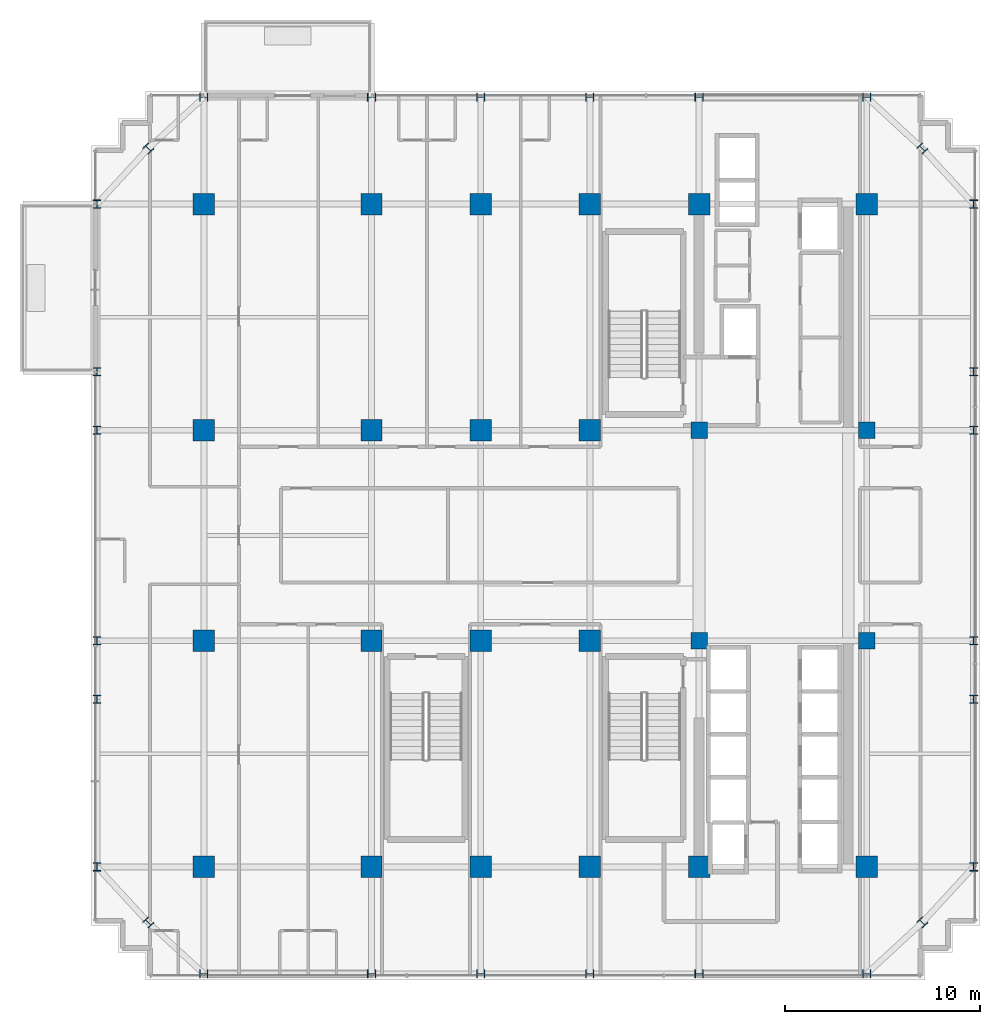
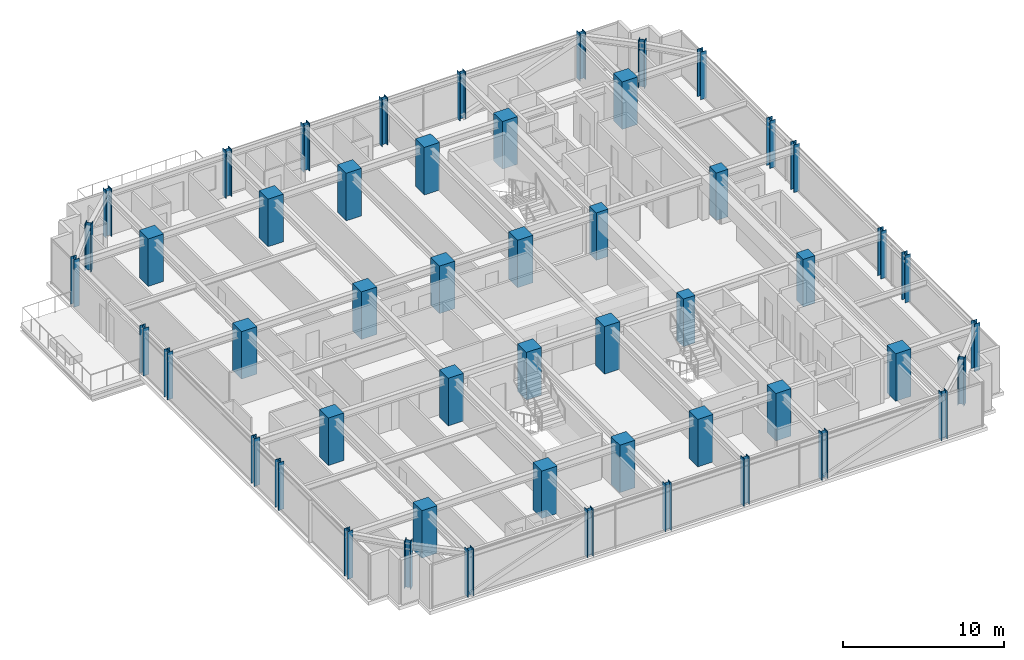
# One storey, part 1 of 32: 52 columns.
"""IFC4 building model written with IfcOpenShell, lengths in metres."""

from ifc_helpers import new_model, si_unit, direction, frame, origin, origin_2d, place, context, subcontext, project, spatial, rectangle, i_section, extrude, source, transform, mapped, material, material_profile, profile_set, type_object, element, save


model = new_model("IFC4")

# Units and contexts
model_context = context("Model", 3, precision=1e-05, world=origin(), true_north=direction((0.0, 1.0)))
body_context = subcontext(model_context, "Body", "Model", "MODEL_VIEW")
ifc_project = project(units=[si_unit("LENGTHUNIT", "METRE"), si_unit("AREAUNIT", "SQUARE_METRE"), si_unit("VOLUMEUNIT", "CUBIC_METRE"), si_unit("PLANEANGLEUNIT", "RADIAN"), si_unit("MASSUNIT", "GRAM", prefix="KILO")], contexts=[model_context])

# Site, building, storey
site_placement = place(None, origin())
site = spatial("IfcSite", under=ifc_project, at=site_placement, CompositionType="ELEMENT")
building_placement = place(site_placement, origin())
building = spatial("IfcBuilding", under=site, at=building_placement, Name="Nahalor Promenade Grand Hotel", CompositionType="ELEMENT")
storey_placement = place(building_placement, frame((0.0, 0.0, 152.64990234375)))
storey = spatial("IfcBuildingStorey", under=building, at=storey_placement, Name="L38", CompositionType="ELEMENT", Elevation=152.64990234375)

# Columns
ifc_material_1 = material(Name="Concrete B-70 (C60/75)", Category="concrete")
ifc_material_profile_1 = material_profile(ifc_material_1, rectangle(XDim=0.85, YDim=0.85, at=origin_2d()), Name="RC 850x850")
ifc_profile_set_1 = profile_set([ifc_material_profile_1], Name="Concrete B-70 (C60/75)")
column_type_1 = type_object("IfcColumnType", Name="Col-Pilaster-850", PredefinedType="PILASTER", material=ifc_profile_set_1)
shared_shape_1 = source(origin(), body_context, "Body", "SweptSolid", [
    extrude(rectangle(XDim=0.85, YDim=0.85, at=origin_2d()), origin(), (0.0, 0.0, 1.0), 3.60498046875),
])
for number, where, z_axis, x_axis, name in (
    (1, (8.39990234375, -5.39990234375, 0.0), (0.0, 0.0, 1.0), (1.0, 0.0, 0.0), "COL-L38-I41"),
    (2, (8.39990234375, 5.39990234375, 0.0), (0.0, 0.0, 1.0), (1.0, 0.0, 0.0), "COL-L38-I42"),
    (3, (17.0, -5.39990234375, 0.0), (0.0, 0.0, 1.0), (1.0, 0.0, 0.0), "COL-L38-I51"),
    (4, (17.0, 5.39990234375, 0.0), (0.0, 0.0, 1.0), (1.0, 0.0, 0.0), "COL-L38-I52"),
):
    element("IfcColumn", number, at=place(storey_placement, frame(where, z_axis=z_axis, x_axis=x_axis)), inside=storey, type_object=column_type_1, Name=name, PredefinedType="PILASTER", context=body_context, shape_type="MappedRepresentation", body=[
        mapped(shared_shape_1, transform((0.0, 0.0, 0.0), scale=1.0)),
    ])
ifc_material_2 = material(Name="Concrete B-60 (C50/60)", Category="concrete")
ifc_material_profile_2 = material_profile(ifc_material_2, rectangle(XDim=1.1, YDim=1.1, at=origin_2d()), Name="RC 1100x1100")
ifc_profile_set_2 = profile_set([ifc_material_profile_2], Name="Concrete B-60 (C50/60)")
column_type_2 = type_object("IfcColumnType", Name="Col-RC-1100", PredefinedType="COLUMN", material=ifc_profile_set_2)
shared_shape_2 = source(origin(), body_context, "Body", "SweptSolid", [
    extrude(rectangle(XDim=1.1, YDim=1.1, at=origin_2d()), origin(), (0.0, 0.0, 1.0), 3.60498046875),
])
for number, where, z_axis, x_axis, name in (
    (5, (-17.0, -17.0, 0.0), (0.0, 0.0, 1.0), (1.0, 0.0, 0.0), "COL-L38-I00"),
    (6, (-17.0, -5.39990234375, 0.0), (0.0, 0.0, 1.0), (1.0, 0.0, 0.0), "COL-L38-I01"),
    (7, (-17.0, 5.39990234375, 0.0), (0.0, 0.0, 1.0), (1.0, 0.0, 0.0), "COL-L38-I02"),
    (8, (-17.0, 17.0, 0.0), (0.0, 0.0, 1.0), (1.0, 0.0, 0.0), "COL-L38-I03"),
    (9, (-8.39990234375, -17.0, 0.0), (0.0, 0.0, 1.0), (1.0, 0.0, 0.0), "COL-L38-I10"),
    (10, (-8.39990234375, -5.39990234375, 0.0), (0.0, 0.0, 1.0), (1.0, 0.0, 0.0), "COL-L38-I11"),
    (11, (-8.39990234375, 5.39990234375, 0.0), (0.0, 0.0, 1.0), (1.0, 0.0, 0.0), "COL-L38-I12"),
    (12, (-8.39990234375, 17.0, 0.0), (0.0, 0.0, 1.0), (1.0, 0.0, 0.0), "COL-L38-I13"),
    (13, (-2.800048828125, -17.0, 0.0), (0.0, 0.0, 1.0), (1.0, 0.0, 0.0), "COL-L38-I20"),
    (14, (-2.800048828125, -5.39990234375, 0.0), (0.0, 0.0, 1.0), (1.0, 0.0, 0.0), "COL-L38-I21"),
    (15, (-2.800048828125, 5.39990234375, 0.0), (0.0, 0.0, 1.0), (1.0, 0.0, 0.0), "COL-L38-I22"),
    (16, (-2.800048828125, 17.0, 0.0), (0.0, 0.0, 1.0), (1.0, 0.0, 0.0), "COL-L38-I23"),
    (17, (2.800048828125, -17.0, 0.0), (0.0, 0.0, 1.0), (1.0, 0.0, 0.0), "COL-L38-I30"),
    (18, (2.800048828125, -5.39990234375, 0.0), (0.0, 0.0, 1.0), (1.0, 0.0, 0.0), "COL-L38-I31"),
    (19, (2.800048828125, 5.39990234375, 0.0), (0.0, 0.0, 1.0), (1.0, 0.0, 0.0), "COL-L38-I32"),
    (20, (2.800048828125, 17.0, 0.0), (0.0, 0.0, 1.0), (1.0, 0.0, 0.0), "COL-L38-I33"),
    (21, (8.39990234375, -17.0, 0.0), (0.0, 0.0, 1.0), (1.0, 0.0, 0.0), "COL-L38-I40"),
    (22, (8.39990234375, 17.0, 0.0), (0.0, 0.0, 1.0), (1.0, 0.0, 0.0), "COL-L38-I43"),
    (23, (17.0, -17.0, 0.0), (0.0, 0.0, 1.0), (1.0, 0.0, 0.0), "COL-L38-I50"),
    (24, (17.0, 17.0, 0.0), (0.0, 0.0, 1.0), (1.0, 0.0, 0.0), "COL-L38-I53"),
):
    element("IfcColumn", number, at=place(storey_placement, frame(where, z_axis=z_axis, x_axis=x_axis)), inside=storey, type_object=column_type_2, Name=name, PredefinedType="COLUMN", context=body_context, shape_type="MappedRepresentation", body=[
        mapped(shared_shape_2, transform((0.0, 0.0, 0.0), scale=1.0)),
    ])
ifc_material_3 = material(Name="Steel S355J2", Category="steel")
ifc_material_profile_3 = material_profile(ifc_material_3, i_section(OverallWidth=0.406, OverallDepth=0.422, WebThickness=0.019, FlangeThickness=0.0305, at=origin_2d()), Name="HD 400x382")
ifc_profile_set_3 = profile_set([ifc_material_profile_3], Name="Steel S355J2")
column_type_3 = type_object("IfcColumnType", Name="Col-Steel-HD382", PredefinedType="COLUMN", material=ifc_profile_set_3)
shared_shape_3 = source(origin(), body_context, "Body", "SweptSolid", [
    extrude(i_section(OverallWidth=0.406, OverallDepth=0.422, WebThickness=0.019, FlangeThickness=0.0305, at=origin_2d()), origin(), (0.0, 0.0, 1.0), 3.60498046875),
])
for number, where, z_axis, x_axis, name in (
    (25, (-22.47998046875, -17.0, 0.0), (0.0, 0.0, 1.0), (1.0, 0.0, 0.0), "COL-L38-PW-W0"),
    (26, (22.47998046875, -17.0, 0.0), (0.0, 0.0, 1.0), (1.0, 0.0, 0.0), "COL-L38-PW-E0"),
    (27, (-22.47998046875, -8.39990234375, 0.0), (0.0, 0.0, 1.0), (1.0, 0.0, 0.0), "COL-L38-PW-W1"),
    (28, (22.47998046875, -8.39990234375, 0.0), (0.0, 0.0, 1.0), (1.0, 0.0, 0.0), "COL-L38-PW-E1"),
    (29, (-22.47998046875, -5.39990234375, 0.0), (0.0, 0.0, 1.0), (1.0, 0.0, 0.0), "COL-L38-PW-W2"),
    (30, (22.47998046875, -5.39990234375, 0.0), (0.0, 0.0, 1.0), (1.0, 0.0, 0.0), "COL-L38-PW-E2"),
    (31, (-22.47998046875, 5.39990234375, 0.0), (0.0, 0.0, 1.0), (1.0, 0.0, 0.0), "COL-L38-PW-W3"),
    (32, (22.47998046875, 5.39990234375, 0.0), (0.0, 0.0, 1.0), (1.0, 0.0, 0.0), "COL-L38-PW-E3"),
    (33, (-22.47998046875, 8.39990234375, 0.0), (0.0, 0.0, 1.0), (1.0, 0.0, 0.0), "COL-L38-PW-W4"),
    (34, (22.47998046875, 8.39990234375, 0.0), (0.0, 0.0, 1.0), (1.0, 0.0, 0.0), "COL-L38-PW-E4"),
    (35, (-22.47998046875, 17.0, 0.0), (0.0, 0.0, 1.0), (1.0, 0.0, 0.0), "COL-L38-PW-W5"),
    (36, (22.47998046875, 17.0, 0.0), (0.0, 0.0, 1.0), (1.0, 0.0, 0.0), "COL-L38-PW-E5"),
    (37, (-17.0, -22.47998046875, 0.0), (0.0, 0.0, 1.0), (0.0, 1.0, 0.0), "COL-L38-PN-S0"),
    (38, (-17.0, 22.47998046875, 0.0), (0.0, 0.0, 1.0), (0.0, 1.0, 0.0), "COL-L38-PN-N0"),
    (39, (-8.39990234375, -22.47998046875, 0.0), (0.0, 0.0, 1.0), (0.0, 1.0, 0.0), "COL-L38-PN-S1"),
    (40, (-8.39990234375, 22.47998046875, 0.0), (0.0, 0.0, 1.0), (0.0, 1.0, 0.0), "COL-L38-PN-N1"),
    (41, (-2.800048828125, -22.47998046875, 0.0), (0.0, 0.0, 1.0), (0.0, 1.0, 0.0), "COL-L38-PN-S2"),
    (42, (-2.800048828125, 22.47998046875, 0.0), (0.0, 0.0, 1.0), (0.0, 1.0, 0.0), "COL-L38-PN-N2"),
    (43, (2.800048828125, -22.47998046875, 0.0), (0.0, 0.0, 1.0), (0.0, 1.0, 0.0), "COL-L38-PN-S3"),
    (44, (2.800048828125, 22.47998046875, 0.0), (0.0, 0.0, 1.0), (0.0, 1.0, 0.0), "COL-L38-PN-N3"),
    (45, (8.39990234375, -22.47998046875, 0.0), (0.0, 0.0, 1.0), (0.0, 1.0, 0.0), "COL-L38-PN-S4"),
    (46, (8.39990234375, 22.47998046875, 0.0), (0.0, 0.0, 1.0), (0.0, 1.0, 0.0), "COL-L38-PN-N4"),
    (47, (17.0, -22.47998046875, 0.0), (0.0, 0.0, 1.0), (0.0, 1.0, 0.0), "COL-L38-PN-S5"),
    (48, (17.0, 22.47998046875, 0.0), (0.0, 0.0, 1.0), (0.0, 1.0, 0.0), "COL-L38-PN-N5"),
    (49, (-19.85009765625, -19.85009765625, 0.0), (0.0, 0.0, 1.0), (0.707106781187, 0.707106781187, 0.0), "COL-L38-CRN-SW"),
    (50, (-19.85009765625, 19.85009765625, 0.0), (0.0, 0.0, 1.0), (0.707106781187, 0.707106781187, 0.0), "COL-L38-CRN-NW"),
    (51, (19.85009765625, -19.85009765625, 0.0), (0.0, 0.0, 1.0), (0.707106781187, 0.707106781187, 0.0), "COL-L38-CRN-SE"),
    (52, (19.85009765625, 19.85009765625, 0.0), (0.0, 0.0, 1.0), (0.707106781187, 0.707106781187, 0.0), "COL-L38-CRN-NE"),
):
    element("IfcColumn", number, at=place(storey_placement, frame(where, z_axis=z_axis, x_axis=x_axis)), inside=storey, type_object=column_type_3, Name=name, PredefinedType="COLUMN", context=body_context, shape_type="MappedRepresentation", body=[
        mapped(shared_shape_3, transform((0.0, 0.0, 0.0), scale=1.0)),
    ])

save(model, "model.ifc")
